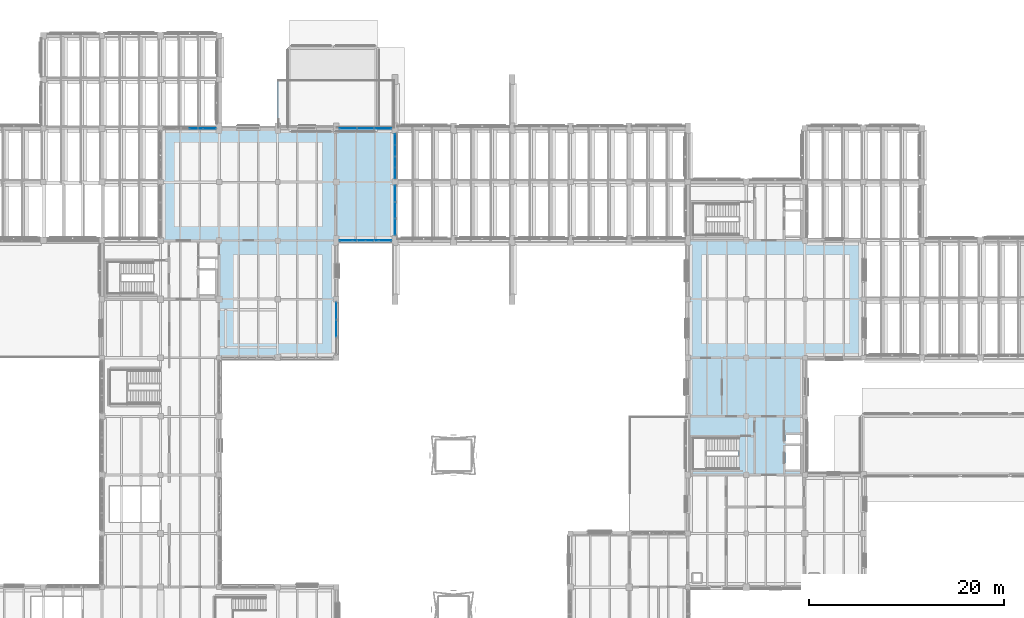
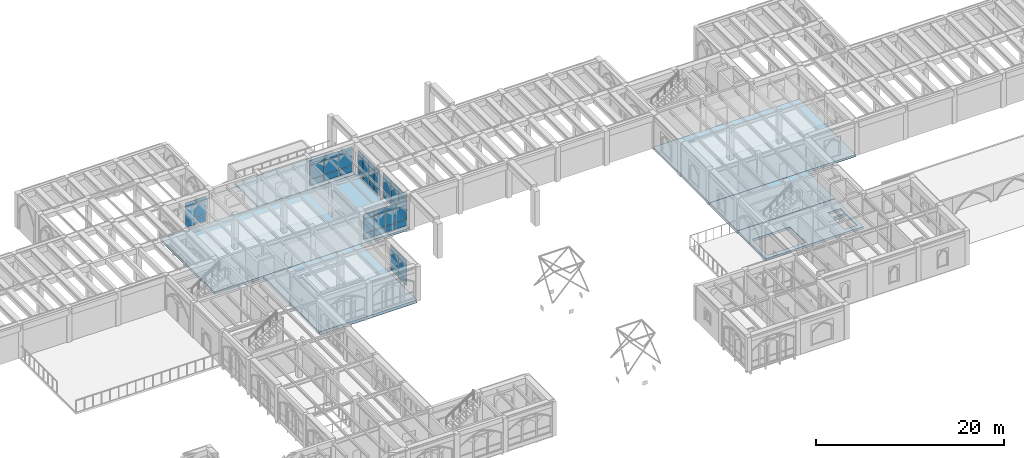
# One storey, part 72 of 127: 54 plates, 6 slabs, 6 elements without a shape of their own.
"""IFC4 building model written with IfcOpenShell, lengths in metres."""

from ifc_helpers import new_model, si_unit, direction, frame, origin, origin_2d, place, context, subcontext, project, spatial, polyline, rectangle, outline, extrude, material, layer, layer_set, type_object, element, aggregate, save


model = new_model("IFC4")

# Units and contexts
model_context = context("Model", 3, precision=1e-05, world=origin(), true_north=direction((0.0, 1.0)))
body_context = subcontext(model_context, "Body", "Model", "MODEL_VIEW")
ifc_project = project(units=[si_unit("LENGTHUNIT", "METRE"), si_unit("AREAUNIT", "SQUARE_METRE"), si_unit("VOLUMEUNIT", "CUBIC_METRE"), si_unit("PLANEANGLEUNIT", "RADIAN"), si_unit("MASSUNIT", "GRAM", prefix="KILO")], contexts=[model_context])

# Site, building, storey
site_placement = place(None, origin())
site = spatial("IfcSite", under=ifc_project, at=site_placement, CompositionType="ELEMENT")
building_placement = place(site_placement, origin())
building = spatial("IfcBuilding", under=site, at=building_placement, Name="Cumevento Cable Car Station", CompositionType="ELEMENT")
storey_placement = place(building_placement, frame((0.0, 0.0, 4.5)))
storey = spatial("IfcBuildingStorey", under=building, at=storey_placement, Name="L02", CompositionType="ELEMENT", Elevation=4.5)

# Slabs
ifc_material_1 = material(Name="Concrete C40/50", Category="concrete")
ifc_layer_1 = layer(ifc_material_1, 0.2900390625)
ifc_layer_set_1 = layer_set([ifc_layer_1], Name="Concrete C40/50")
slab_type_1 = type_object("IfcSlabType", Name="Concrete Deck BS-290 290", PredefinedType="BASESLAB", material=ifc_layer_set_1)
slab_1_placement = place(storey_placement, frame((0.0, 0.0, -0.2900390625)))
element("IfcSlab", 1, at=slab_1_placement, inside=storey, type_object=slab_type_1, Name="Base Slab BS-290 L02 B_V3a.1", PredefinedType="BASESLAB", context=body_context, shape_type="SweptSolid", body=[
    extrude(outline(polyline([(64.0, 45.0), (88.0, 45.0), (88.0, 56.5), (64.0, 56.5), (64.0, 45.0)])), origin(), (0.0, 0.0, 1.0), 0.2900390625),
])
slab_2_placement = place(storey_placement, frame((0.0, 0.0, -0.2900390625)))
element("IfcSlab", 2, at=slab_2_placement, inside=storey, type_object=slab_type_1, Name="Base Slab BS-290 L02 B_V5a.1", PredefinedType="BASESLAB", context=body_context, shape_type="SweptSolid", body=[
    extrude(outline(polyline([(118.0, 33.0), (136.0, 33.0), (136.0, 45.0), (118.0, 45.0), (118.0, 33.0)])), origin(), (0.0, 0.0, 1.0), 0.2900390625),
])
ifc_material_2 = material(Name="Concrete C40/50", Category="concrete")
ifc_layer_2 = layer(ifc_material_2, 0.389892578125)
ifc_layer_set_2 = layer_set([ifc_layer_2], Name="Concrete C40/50")
slab_type_2 = type_object("IfcSlabType", Name="Concrete Deck BS-390 390", PredefinedType="BASESLAB", material=ifc_layer_set_2)
slab_3_placement = place(storey_placement, frame((0.0, 0.0, -0.389892578125)))
element("IfcSlab", 3, at=slab_3_placement, inside=storey, type_object=slab_type_2, Name="Base Slab BS-390 L02 B_V2d.1", PredefinedType="BASESLAB", context=body_context, shape_type="SweptSolid", body=[
    extrude(outline(polyline([(70.0, 33.0), (82.0, 33.0), (82.0, 45.0), (70.0, 45.0), (70.0, 33.0)])), origin(), (0.0, 0.0, 1.0), 0.389892578125),
])
slab_4_placement = place(storey_placement, frame((0.0, 0.0, -0.389892578125)))
element("IfcSlab", 4, at=slab_4_placement, inside=storey, type_object=slab_type_2, Name="Base Slab BS-390 L02 B_V4b.1", PredefinedType="BASESLAB", context=body_context, shape_type="SweptSolid", body=[
    extrude(outline(polyline([(118.0, 27.0), (130.0, 27.0), (130.0, 33.0), (118.0, 33.0), (118.0, 27.0)])), origin(), (0.0, 0.0, 1.0), 0.389892578125),
])
ifc_material_3 = material(Name="Concrete C40/50", Category="concrete")
ifc_layer_3 = layer(ifc_material_3, 0.283935546875)
ifc_layer_set_3 = layer_set([ifc_layer_3], Name="Concrete C40/50")
slab_type_3 = type_object("IfcSlabType", Name="Concrete Deck FS-284 284", PredefinedType="FLOOR", material=ifc_layer_set_3)
slab_5_placement = place(storey_placement, frame((0.0, 0.0, -0.283935546875)))
element("IfcSlab", 5, at=slab_5_placement, inside=storey, type_object=slab_type_3, Name="Floor Slab FS-284 L02 B_V4b_core.1", PredefinedType="FLOOR", context=body_context, shape_type="SweptSolid", body=[
    extrude(outline(polyline([(118.0, 21.0), (130.0, 21.0), (130.0, 27.0), (118.0, 27.0), (118.0, 21.0)]), holes=[polyline([(128.010009765625, 21.5400390625), (129.580078125, 21.5400390625), (129.580078125, 23.9599609375), (128.010009765625, 23.9599609375), (128.010009765625, 21.5400390625)]), polyline([(118.52001953125, 21.52001953125), (123.199951171875, 21.52001953125), (123.199951171875, 24.85009765625), (118.52001953125, 24.85009765625), (118.52001953125, 21.52001953125)]), polyline([(128.010009765625, 24.199951171875), (129.580078125, 24.199951171875), (129.580078125, 25.10009765625), (128.010009765625, 25.10009765625), (128.010009765625, 24.199951171875)])]), origin(), (0.0, 0.0, 1.0), 0.283935546875),
])

# Curtain wall, plates
ifc_material_4 = material(Name="Anodised Bronze Aluminium AW-6063-T6", Category="aluminium")
ifc_layer_4 = layer(ifc_material_4, 0.238037109375)
ifc_layer_set_4 = layer_set([ifc_layer_4], Name="Anodised Bronze Aluminium AW-6063-T6")
curtain_wall_type_1 = type_object("IfcCurtainWallType", Name="Lancet Curtain Wall CW-14 1570", PredefinedType="NOTDEFINED", material=ifc_layer_set_4)
curtain_wall_1_placement = place(storey_placement, origin())
curtain_wall_1 = element("IfcCurtainWall", 6, at=curtain_wall_1_placement, inside=storey, type_object=curtain_wall_type_1, Name="Lancet Curtain Wall CW-14 L02 #45", PredefinedType="NOTDEFINED")
ifc_material_5 = material(Name="Solar Control Laminated Double Glazing", Category="glass")
ifc_layer_5 = layer(ifc_material_5, 0.033935546875)
ifc_layer_set_5 = layer_set([ifc_layer_5], Name="Solar Control Laminated Double Glazing")
plate_type_1 = type_object("IfcPlateType", Name="Glazed Panel CWP-04 34", PredefinedType="CURTAIN_PANEL", material=ifc_layer_set_5)
plate_1_placement = place(storey_placement, frame((82.0, 37.8046875, 0.47509765625), z_axis=(0.0, 0.0, 1.0), x_axis=(0.0, -1.0, 0.0)))
plate_1 = element("IfcPlate", 7, at=plate_1_placement, type_object=plate_type_1, Name="CW-14 panel 1.1", PredefinedType="CURTAIN_PANEL", context=body_context, shape_type="SweptSolid", body=[
    extrude(rectangle(XDim=1.7109375, YDim=0.033935546875, at=origin_2d()), origin(), (0.0, 0.0, 1.0), 0.75244140625),
])
plate_2_placement = place(storey_placement, frame((82.0, 37.8046875, 1.29248046875), z_axis=(0.0, 0.0, 1.0), x_axis=(0.0, -1.0, 0.0)))
plate_2 = element("IfcPlate", 8, at=plate_2_placement, type_object=plate_type_1, Name="CW-14 panel 1.2", PredefinedType="CURTAIN_PANEL", context=body_context, shape_type="SweptSolid", body=[
    extrude(rectangle(XDim=1.7109375, YDim=0.033935546875, at=origin_2d()), origin(), (0.0, 0.0, 1.0), 1.7958984375),
])
plate_3_placement = place(storey_placement, frame((82.0, 37.8046875, 3.153564453125), z_axis=(0.0, 0.0, 1.0), x_axis=(0.0, -1.0, 0.0)))
plate_3 = element("IfcPlate", 9, at=plate_3_placement, type_object=plate_type_1, Name="CW-14 panel 1.3", PredefinedType="CURTAIN_PANEL", context=body_context, shape_type="SweptSolid", body=[
    extrude(rectangle(XDim=1.7109375, YDim=0.033935546875, at=origin_2d()), origin(), (0.0, 0.0, 1.0), 0.6025390625),
])
plate_4_placement = place(storey_placement, frame((82.0, 36.012451171875, 0.47509765625), z_axis=(0.0, 0.0, 1.0), x_axis=(0.0, -1.0, 0.0)))
plate_4 = element("IfcPlate", 10, at=plate_4_placement, type_object=plate_type_1, Name="CW-14 panel 2.1", PredefinedType="CURTAIN_PANEL", context=body_context, shape_type="SweptSolid", body=[
    extrude(rectangle(XDim=1.743408203125, YDim=0.033935546875, at=origin_2d()), origin(), (0.0, 0.0, 1.0), 0.75244140625),
])
plate_5_placement = place(storey_placement, frame((82.0, 36.012451171875, 1.29248046875), z_axis=(0.0, 0.0, 1.0), x_axis=(0.0, -1.0, 0.0)))
plate_5 = element("IfcPlate", 11, at=plate_5_placement, type_object=plate_type_1, Name="CW-14 panel 2.2", PredefinedType="CURTAIN_PANEL", context=body_context, shape_type="SweptSolid", body=[
    extrude(rectangle(XDim=1.743408203125, YDim=0.033935546875, at=origin_2d()), origin(), (0.0, 0.0, 1.0), 1.7958984375),
])
plate_6_placement = place(storey_placement, frame((82.0, 36.012451171875, 3.153564453125), z_axis=(0.0, 0.0, 1.0), x_axis=(0.0, -1.0, 0.0)))
plate_6 = element("IfcPlate", 12, at=plate_6_placement, type_object=plate_type_1, Name="CW-14 panel 2.3", PredefinedType="CURTAIN_PANEL", context=body_context, shape_type="SweptSolid", body=[
    extrude(rectangle(XDim=1.743408203125, YDim=0.033935546875, at=origin_2d()), origin(), (0.0, 0.0, 1.0), 0.6025390625),
])
aggregate(curtain_wall_1, [plate_1, plate_2, plate_3, plate_4, plate_5, plate_6])

ifc_material_6 = material(Name="Anodised Bronze Aluminium AW-6063-T6", Category="aluminium")
ifc_layer_6 = layer(ifc_material_6, 0.22607421875)
ifc_layer_set_6 = layer_set([ifc_layer_6], Name="Anodised Bronze Aluminium AW-6063-T6")
curtain_wall_type_2 = type_object("IfcCurtainWallType", Name="Lancet Curtain Wall CW-12 1490", PredefinedType="NOTDEFINED", material=ifc_layer_set_6)
curtain_wall_2_placement = place(storey_placement, origin())
curtain_wall_2 = element("IfcCurtainWall", 13, at=curtain_wall_2_placement, inside=storey, type_object=curtain_wall_type_2, Name="Lancet Curtain Wall CW-12 L02 #59", PredefinedType="NOTDEFINED")
plate_7_placement = place(storey_placement, frame((67.65625, 56.5, 0.375), z_axis=(0.0, 0.0, 1.0), x_axis=(1.0, 0.0, 0.0)))
plate_7 = element("IfcPlate", 14, at=plate_7_placement, type_object=plate_type_1, Name="CW-12 panel 3.1", PredefinedType="CURTAIN_PANEL", context=body_context, shape_type="SweptSolid", body=[
    extrude(rectangle(XDim=1.297607421875, YDim=0.033935546875, at=origin_2d()), origin(), (0.0, 0.0, 1.0), 0.75244140625),
])
plate_8_placement = place(storey_placement, frame((67.65625, 56.5, 1.1923828125), z_axis=(0.0, 0.0, 1.0), x_axis=(1.0, 0.0, 0.0)))
plate_8 = element("IfcPlate", 15, at=plate_8_placement, type_object=plate_type_1, Name="CW-12 panel 3.2", PredefinedType="CURTAIN_PANEL", context=body_context, shape_type="SweptSolid", body=[
    extrude(rectangle(XDim=1.297607421875, YDim=0.033935546875, at=origin_2d()), origin(), (0.0, 0.0, 1.0), 1.721923828125),
])
plate_9_placement = place(storey_placement, frame((67.65625, 56.5, 2.9794921875), z_axis=(0.0, 0.0, 1.0), x_axis=(1.0, 0.0, 0.0)))
plate_9 = element("IfcPlate", 16, at=plate_9_placement, type_object=plate_type_1, Name="CW-12 panel 3.3", PredefinedType="CURTAIN_PANEL", context=body_context, shape_type="SweptSolid", body=[
    extrude(rectangle(XDim=1.297607421875, YDim=0.033935546875, at=origin_2d()), origin(), (0.0, 0.0, 1.0), 0.6025390625),
])
plate_10_placement = place(storey_placement, frame((69.00244140625, 56.5, 0.375), z_axis=(0.0, 0.0, 1.0), x_axis=(1.0, 0.0, 0.0)))
plate_10 = element("IfcPlate", 17, at=plate_10_placement, type_object=plate_type_1, Name="CW-12 panel 4.1", PredefinedType="CURTAIN_PANEL", context=body_context, shape_type="SweptSolid", body=[
    extrude(rectangle(XDim=1.264892578125, YDim=0.033935546875, at=origin_2d()), origin(), (0.0, 0.0, 1.0), 0.75244140625),
])
plate_11_placement = place(storey_placement, frame((69.00244140625, 56.5, 1.1923828125), z_axis=(0.0, 0.0, 1.0), x_axis=(1.0, 0.0, 0.0)))
plate_11 = element("IfcPlate", 18, at=plate_11_placement, type_object=plate_type_1, Name="CW-12 panel 4.2", PredefinedType="CURTAIN_PANEL", context=body_context, shape_type="SweptSolid", body=[
    extrude(rectangle(XDim=1.264892578125, YDim=0.033935546875, at=origin_2d()), origin(), (0.0, 0.0, 1.0), 1.721923828125),
])
plate_12_placement = place(storey_placement, frame((69.00244140625, 56.5, 2.9794921875), z_axis=(0.0, 0.0, 1.0), x_axis=(1.0, 0.0, 0.0)))
plate_12 = element("IfcPlate", 19, at=plate_12_placement, type_object=plate_type_1, Name="CW-12 panel 4.3", PredefinedType="CURTAIN_PANEL", context=body_context, shape_type="SweptSolid", body=[
    extrude(rectangle(XDim=1.264892578125, YDim=0.033935546875, at=origin_2d()), origin(), (0.0, 0.0, 1.0), 0.6025390625),
])
aggregate(curtain_wall_2, [plate_7, plate_8, plate_9, plate_10, plate_11, plate_12])

ifc_material_7 = material(Name="Anodised Bronze Aluminium AW-6063-T6", Category="aluminium")
ifc_layer_7 = layer(ifc_material_7, 0.23193359375)
ifc_layer_set_7 = layer_set([ifc_layer_7], Name="Anodised Bronze Aluminium AW-6063-T6")
curtain_wall_type_3 = type_object("IfcCurtainWallType", Name="Lancet Curtain Wall CW-13 1530", PredefinedType="NOTDEFINED", material=ifc_layer_set_7)
curtain_wall_3_placement = place(storey_placement, origin())
curtain_wall_3 = element("IfcCurtainWall", 20, at=curtain_wall_3_placement, inside=storey, type_object=curtain_wall_type_3, Name="Lancet Curtain Wall CW-13 L02 #60", PredefinedType="NOTDEFINED")
ifc_material_8 = material(Name="Solar Control Laminated Double Glazing", Category="glass")
ifc_layer_8 = layer(ifc_material_8, 0.0380859375)
ifc_layer_set_8 = layer_set([ifc_layer_8], Name="Solar Control Laminated Double Glazing")
plate_type_2 = type_object("IfcPlateType", Name="Glazed Panel CWP-05 38", PredefinedType="CURTAIN_PANEL", material=ifc_layer_set_8)
plate_13_placement = place(storey_placement, frame((87.0087890625, 45.0, 0.425048828125), z_axis=(0.0, 0.0, 1.0), x_axis=(-1.0, 0.0, 0.0)))
plate_13 = element("IfcPlate", 21, at=plate_13_placement, type_object=plate_type_2, Name="CW-13 panel 1.1", PredefinedType="CURTAIN_PANEL", context=body_context, shape_type="SweptSolid", body=[
    extrude(rectangle(XDim=1.25244140625, YDim=0.0380859375, at=origin_2d()), origin(), (0.0, 0.0, 1.0), 0.75244140625),
])
plate_14_placement = place(storey_placement, frame((87.0087890625, 45.0, 1.242431640625), z_axis=(0.0, 0.0, 1.0), x_axis=(-1.0, 0.0, 0.0)))
plate_14 = element("IfcPlate", 22, at=plate_14_placement, type_object=plate_type_2, Name="CW-13 panel 1.2", PredefinedType="CURTAIN_PANEL", context=body_context, shape_type="SweptSolid", body=[
    extrude(rectangle(XDim=1.25244140625, YDim=0.0380859375, at=origin_2d()), origin(), (0.0, 0.0, 1.0), 1.80810546875),
])
plate_15_placement = place(storey_placement, frame((87.0087890625, 45.0, 3.115478515625), z_axis=(0.0, 0.0, 1.0), x_axis=(-1.0, 0.0, 0.0)))
plate_15 = element("IfcPlate", 23, at=plate_15_placement, type_object=plate_type_2, Name="CW-13 panel 1.3", PredefinedType="CURTAIN_PANEL", context=body_context, shape_type="SweptSolid", body=[
    extrude(rectangle(XDim=1.25244140625, YDim=0.0380859375, at=origin_2d()), origin(), (0.0, 0.0, 1.0), 0.6025390625),
])
plate_16_placement = place(storey_placement, frame((85.675048828125, 45.0, 0.425048828125), z_axis=(0.0, 0.0, 1.0), x_axis=(-1.0, 0.0, 0.0)))
plate_16 = element("IfcPlate", 24, at=plate_16_placement, type_object=plate_type_2, Name="CW-13 panel 2.1", PredefinedType="CURTAIN_PANEL", context=body_context, shape_type="SweptSolid", body=[
    extrude(rectangle(XDim=1.284912109375, YDim=0.0380859375, at=origin_2d()), origin(), (0.0, 0.0, 1.0), 0.75244140625),
])
plate_17_placement = place(storey_placement, frame((85.675048828125, 45.0, 1.242431640625), z_axis=(0.0, 0.0, 1.0), x_axis=(-1.0, 0.0, 0.0)))
plate_17 = element("IfcPlate", 25, at=plate_17_placement, type_object=plate_type_2, Name="CW-13 panel 2.2", PredefinedType="CURTAIN_PANEL", context=body_context, shape_type="SweptSolid", body=[
    extrude(rectangle(XDim=1.284912109375, YDim=0.0380859375, at=origin_2d()), origin(), (0.0, 0.0, 1.0), 1.80810546875),
])
plate_18_placement = place(storey_placement, frame((85.675048828125, 45.0, 3.115478515625), z_axis=(0.0, 0.0, 1.0), x_axis=(-1.0, 0.0, 0.0)))
plate_18 = element("IfcPlate", 26, at=plate_18_placement, type_object=plate_type_2, Name="CW-13 panel 2.3", PredefinedType="CURTAIN_PANEL", context=body_context, shape_type="SweptSolid", body=[
    extrude(rectangle(XDim=1.284912109375, YDim=0.0380859375, at=origin_2d()), origin(), (0.0, 0.0, 1.0), 0.6025390625),
])
plate_19_placement = place(storey_placement, frame((84.324951171875, 45.0, 0.425048828125), z_axis=(0.0, 0.0, 1.0), x_axis=(-1.0, 0.0, 0.0)))
plate_19 = element("IfcPlate", 27, at=plate_19_placement, type_object=plate_type_2, Name="CW-13 panel 3.1", PredefinedType="CURTAIN_PANEL", context=body_context, shape_type="SweptSolid", body=[
    extrude(rectangle(XDim=1.284912109375, YDim=0.0380859375, at=origin_2d()), origin(), (0.0, 0.0, 1.0), 0.75244140625),
])
plate_20_placement = place(storey_placement, frame((84.324951171875, 45.0, 1.242431640625), z_axis=(0.0, 0.0, 1.0), x_axis=(-1.0, 0.0, 0.0)))
plate_20 = element("IfcPlate", 28, at=plate_20_placement, type_object=plate_type_2, Name="CW-13 panel 3.2", PredefinedType="CURTAIN_PANEL", context=body_context, shape_type="SweptSolid", body=[
    extrude(rectangle(XDim=1.284912109375, YDim=0.0380859375, at=origin_2d()), origin(), (0.0, 0.0, 1.0), 1.80810546875),
])
plate_21_placement = place(storey_placement, frame((84.324951171875, 45.0, 3.115478515625), z_axis=(0.0, 0.0, 1.0), x_axis=(-1.0, 0.0, 0.0)))
plate_21 = element("IfcPlate", 29, at=plate_21_placement, type_object=plate_type_2, Name="CW-13 panel 3.3", PredefinedType="CURTAIN_PANEL", context=body_context, shape_type="SweptSolid", body=[
    extrude(rectangle(XDim=1.284912109375, YDim=0.0380859375, at=origin_2d()), origin(), (0.0, 0.0, 1.0), 0.6025390625),
])
plate_22_placement = place(storey_placement, frame((82.9912109375, 45.0, 0.425048828125), z_axis=(0.0, 0.0, 1.0), x_axis=(-1.0, 0.0, 0.0)))
plate_22 = element("IfcPlate", 30, at=plate_22_placement, type_object=plate_type_2, Name="CW-13 panel 4.1", PredefinedType="CURTAIN_PANEL", context=body_context, shape_type="SweptSolid", body=[
    extrude(rectangle(XDim=1.25244140625, YDim=0.0380859375, at=origin_2d()), origin(), (0.0, 0.0, 1.0), 0.75244140625),
])
plate_23_placement = place(storey_placement, frame((82.9912109375, 45.0, 1.242431640625), z_axis=(0.0, 0.0, 1.0), x_axis=(-1.0, 0.0, 0.0)))
plate_23 = element("IfcPlate", 31, at=plate_23_placement, type_object=plate_type_2, Name="CW-13 panel 4.2", PredefinedType="CURTAIN_PANEL", context=body_context, shape_type="SweptSolid", body=[
    extrude(rectangle(XDim=1.25244140625, YDim=0.0380859375, at=origin_2d()), origin(), (0.0, 0.0, 1.0), 1.80810546875),
])
plate_24_placement = place(storey_placement, frame((82.9912109375, 45.0, 3.115478515625), z_axis=(0.0, 0.0, 1.0), x_axis=(-1.0, 0.0, 0.0)))
plate_24 = element("IfcPlate", 32, at=plate_24_placement, type_object=plate_type_2, Name="CW-13 panel 4.3", PredefinedType="CURTAIN_PANEL", context=body_context, shape_type="SweptSolid", body=[
    extrude(rectangle(XDim=1.25244140625, YDim=0.0380859375, at=origin_2d()), origin(), (0.0, 0.0, 1.0), 0.6025390625),
])
aggregate(curtain_wall_3, [plate_13, plate_14, plate_15, plate_16, plate_17, plate_18, plate_19, plate_20, plate_21, plate_22, plate_23, plate_24])

curtain_wall_4_placement = place(storey_placement, origin())
curtain_wall_4 = element("IfcCurtainWall", 33, at=curtain_wall_4_placement, inside=storey, type_object=curtain_wall_type_1, Name="Lancet Curtain Wall CW-14 L02 #61", PredefinedType="NOTDEFINED")
ifc_material_9 = material(Name="Solar Control Laminated Double Glazing", Category="glass")
ifc_layer_9 = layer(ifc_material_9, 0.0419921875)
ifc_layer_set_9 = layer_set([ifc_layer_9], Name="Solar Control Laminated Double Glazing")
plate_type_3 = type_object("IfcPlateType", Name="Glazed Panel CWP-06 42", PredefinedType="CURTAIN_PANEL", material=ifc_layer_set_9)
plate_25_placement = place(storey_placement, frame((83.21630859375, 56.5, 0.47509765625), z_axis=(0.0, 0.0, 1.0), x_axis=(1.0, 0.0, 0.0)))
plate_25 = element("IfcPlate", 34, at=plate_25_placement, type_object=plate_type_3, Name="CW-14 panel 1.1", PredefinedType="CURTAIN_PANEL", context=body_context, shape_type="SweptSolid", body=[
    extrude(rectangle(XDim=1.702392578125, YDim=0.0419921875, at=origin_2d()), origin(), (0.0, 0.0, 1.0), 0.75244140625),
])
plate_26_placement = place(storey_placement, frame((83.21630859375, 56.5, 1.29248046875), z_axis=(0.0, 0.0, 1.0), x_axis=(1.0, 0.0, 0.0)))
plate_26 = element("IfcPlate", 35, at=plate_26_placement, type_object=plate_type_3, Name="CW-14 panel 1.2", PredefinedType="CURTAIN_PANEL", context=body_context, shape_type="SweptSolid", body=[
    extrude(rectangle(XDim=1.702392578125, YDim=0.0419921875, at=origin_2d()), origin(), (0.0, 0.0, 1.0), 1.758056640625),
])
plate_27_placement = place(storey_placement, frame((83.21630859375, 56.5, 3.115478515625), z_axis=(0.0, 0.0, 1.0), x_axis=(1.0, 0.0, 0.0)))
plate_27 = element("IfcPlate", 36, at=plate_27_placement, type_object=plate_type_3, Name="CW-14 panel 1.3", PredefinedType="CURTAIN_PANEL", context=body_context, shape_type="SweptSolid", body=[
    extrude(rectangle(XDim=1.702392578125, YDim=0.0419921875, at=origin_2d()), origin(), (0.0, 0.0, 1.0), 0.6025390625),
])
plate_28_placement = place(storey_placement, frame((85.0, 56.5, 0.47509765625), z_axis=(0.0, 0.0, 1.0), x_axis=(1.0, 0.0, 0.0)))
plate_28 = element("IfcPlate", 37, at=plate_28_placement, type_object=plate_type_3, Name="CW-14 panel 2.1", PredefinedType="CURTAIN_PANEL", context=body_context, shape_type="SweptSolid", body=[
    extrude(rectangle(XDim=1.735107421875, YDim=0.0419921875, at=origin_2d()), origin(), (0.0, 0.0, 1.0), 0.75244140625),
])
plate_29_placement = place(storey_placement, frame((85.0, 56.5, 1.29248046875), z_axis=(0.0, 0.0, 1.0), x_axis=(1.0, 0.0, 0.0)))
plate_29 = element("IfcPlate", 38, at=plate_29_placement, type_object=plate_type_3, Name="CW-14 panel 2.2", PredefinedType="CURTAIN_PANEL", context=body_context, shape_type="SweptSolid", body=[
    extrude(rectangle(XDim=1.735107421875, YDim=0.0419921875, at=origin_2d()), origin(), (0.0, 0.0, 1.0), 1.758056640625),
])
plate_30_placement = place(storey_placement, frame((85.0, 56.5, 3.115478515625), z_axis=(0.0, 0.0, 1.0), x_axis=(1.0, 0.0, 0.0)))
plate_30 = element("IfcPlate", 39, at=plate_30_placement, type_object=plate_type_3, Name="CW-14 panel 2.3", PredefinedType="CURTAIN_PANEL", context=body_context, shape_type="SweptSolid", body=[
    extrude(rectangle(XDim=1.735107421875, YDim=0.0419921875, at=origin_2d()), origin(), (0.0, 0.0, 1.0), 0.6025390625),
])
plate_31_placement = place(storey_placement, frame((86.78369140625, 56.5, 0.47509765625), z_axis=(0.0, 0.0, 1.0), x_axis=(1.0, 0.0, 0.0)))
plate_31 = element("IfcPlate", 40, at=plate_31_placement, type_object=plate_type_3, Name="CW-14 panel 3.1", PredefinedType="CURTAIN_PANEL", context=body_context, shape_type="SweptSolid", body=[
    extrude(rectangle(XDim=1.702392578125, YDim=0.0419921875, at=origin_2d()), origin(), (0.0, 0.0, 1.0), 0.75244140625),
])
plate_32_placement = place(storey_placement, frame((86.78369140625, 56.5, 1.29248046875), z_axis=(0.0, 0.0, 1.0), x_axis=(1.0, 0.0, 0.0)))
plate_32 = element("IfcPlate", 41, at=plate_32_placement, type_object=plate_type_3, Name="CW-14 panel 3.2", PredefinedType="CURTAIN_PANEL", context=body_context, shape_type="SweptSolid", body=[
    extrude(rectangle(XDim=1.702392578125, YDim=0.0419921875, at=origin_2d()), origin(), (0.0, 0.0, 1.0), 1.758056640625),
])
plate_33_placement = place(storey_placement, frame((86.78369140625, 56.5, 3.115478515625), z_axis=(0.0, 0.0, 1.0), x_axis=(1.0, 0.0, 0.0)))
plate_33 = element("IfcPlate", 42, at=plate_33_placement, type_object=plate_type_3, Name="CW-14 panel 3.3", PredefinedType="CURTAIN_PANEL", context=body_context, shape_type="SweptSolid", body=[
    extrude(rectangle(XDim=1.702392578125, YDim=0.0419921875, at=origin_2d()), origin(), (0.0, 0.0, 1.0), 0.6025390625),
])
aggregate(curtain_wall_4, [plate_25, plate_26, plate_27, plate_28, plate_29, plate_30, plate_31, plate_32, plate_33])

ifc_material_10 = material(Name="Anodised Bronze Aluminium AW-6063-T6", Category="aluminium")
ifc_layer_10 = layer(ifc_material_10, 0.25)
ifc_layer_set_10 = layer_set([ifc_layer_10], Name="Anodised Bronze Aluminium AW-6063-T6")
curtain_wall_type_4 = type_object("IfcCurtainWallType", Name="Lancet Curtain Wall CW-16 1650", PredefinedType="NOTDEFINED", material=ifc_layer_set_10)
curtain_wall_5_placement = place(storey_placement, origin())
curtain_wall_5 = element("IfcCurtainWall", 43, at=curtain_wall_5_placement, inside=storey, type_object=curtain_wall_type_4, Name="Lancet Curtain Wall CW-16 L02 #63", PredefinedType="NOTDEFINED")
ifc_material_11 = material(Name="Solar Control Laminated Double Glazing", Category="glass")
ifc_layer_11 = layer(ifc_material_11, 0.050048828125)
ifc_layer_set_11 = layer_set([ifc_layer_11], Name="Solar Control Laminated Double Glazing")
plate_type_4 = type_object("IfcPlateType", Name="Glazed Panel CWP-08 50", PredefinedType="CURTAIN_PANEL", material=ifc_layer_set_11)
plate_34_placement = place(storey_placement, frame((88.0, 49.8212890625, 0.5849609375), z_axis=(0.0, 0.0, 1.0), x_axis=(0.0, -1.0, 0.0)))
plate_34 = element("IfcPlate", 44, at=plate_34_placement, type_object=plate_type_4, Name="CW-16 panel 1.1", PredefinedType="CURTAIN_PANEL", context=body_context, shape_type="SweptSolid", body=[
    extrude(rectangle(XDim=1.62744140625, YDim=0.050048828125, at=origin_2d()), origin(), (0.0, 0.0, 1.0), 0.75244140625),
])
plate_35_placement = place(storey_placement, frame((88.0, 49.8212890625, 1.40234375), z_axis=(0.0, 0.0, 1.0), x_axis=(0.0, -1.0, 0.0)))
plate_35 = element("IfcPlate", 45, at=plate_35_placement, type_object=plate_type_4, Name="CW-16 panel 1.2", PredefinedType="CURTAIN_PANEL", context=body_context, shape_type="SweptSolid", body=[
    extrude(rectangle(XDim=1.62744140625, YDim=0.050048828125, at=origin_2d()), origin(), (0.0, 0.0, 1.0), 1.700927734375),
])
plate_36_placement = place(storey_placement, frame((88.0, 49.8212890625, 3.16845703125), z_axis=(0.0, 0.0, 1.0), x_axis=(0.0, -1.0, 0.0)))
plate_36 = element("IfcPlate", 46, at=plate_36_placement, type_object=plate_type_4, Name="CW-16 panel 1.3", PredefinedType="CURTAIN_PANEL", context=body_context, shape_type="SweptSolid", body=[
    extrude(rectangle(XDim=1.62744140625, YDim=0.050048828125, at=origin_2d()), origin(), (0.0, 0.0, 1.0), 0.6025390625),
])
plate_37_placement = place(storey_placement, frame((88.0, 48.112548828125, 0.5849609375), z_axis=(0.0, 0.0, 1.0), x_axis=(0.0, -1.0, 0.0)))
plate_37 = element("IfcPlate", 47, at=plate_37_placement, type_object=plate_type_4, Name="CW-16 panel 2.1", PredefinedType="CURTAIN_PANEL", context=body_context, shape_type="SweptSolid", body=[
    extrude(rectangle(XDim=1.659912109375, YDim=0.050048828125, at=origin_2d()), origin(), (0.0, 0.0, 1.0), 0.75244140625),
])
plate_38_placement = place(storey_placement, frame((88.0, 48.112548828125, 1.40234375), z_axis=(0.0, 0.0, 1.0), x_axis=(0.0, -1.0, 0.0)))
plate_38 = element("IfcPlate", 48, at=plate_38_placement, type_object=plate_type_4, Name="CW-16 panel 2.2", PredefinedType="CURTAIN_PANEL", context=body_context, shape_type="SweptSolid", body=[
    extrude(rectangle(XDim=1.659912109375, YDim=0.050048828125, at=origin_2d()), origin(), (0.0, 0.0, 1.0), 1.700927734375),
])
plate_39_placement = place(storey_placement, frame((88.0, 48.112548828125, 3.16845703125), z_axis=(0.0, 0.0, 1.0), x_axis=(0.0, -1.0, 0.0)))
plate_39 = element("IfcPlate", 49, at=plate_39_placement, type_object=plate_type_4, Name="CW-16 panel 2.3", PredefinedType="CURTAIN_PANEL", context=body_context, shape_type="SweptSolid", body=[
    extrude(rectangle(XDim=1.659912109375, YDim=0.050048828125, at=origin_2d()), origin(), (0.0, 0.0, 1.0), 0.6025390625),
])
plate_40_placement = place(storey_placement, frame((88.0, 46.40380859375, 0.5849609375), z_axis=(0.0, 0.0, 1.0), x_axis=(0.0, -1.0, 0.0)))
plate_40 = element("IfcPlate", 50, at=plate_40_placement, type_object=plate_type_4, Name="CW-16 panel 3.1", PredefinedType="CURTAIN_PANEL", context=body_context, shape_type="SweptSolid", body=[
    extrude(rectangle(XDim=1.62744140625, YDim=0.050048828125, at=origin_2d()), origin(), (0.0, 0.0, 1.0), 0.75244140625),
])
plate_41_placement = place(storey_placement, frame((88.0, 46.40380859375, 1.40234375), z_axis=(0.0, 0.0, 1.0), x_axis=(0.0, -1.0, 0.0)))
plate_41 = element("IfcPlate", 51, at=plate_41_placement, type_object=plate_type_4, Name="CW-16 panel 3.2", PredefinedType="CURTAIN_PANEL", context=body_context, shape_type="SweptSolid", body=[
    extrude(rectangle(XDim=1.62744140625, YDim=0.050048828125, at=origin_2d()), origin(), (0.0, 0.0, 1.0), 1.700927734375),
])
plate_42_placement = place(storey_placement, frame((88.0, 46.40380859375, 3.16845703125), z_axis=(0.0, 0.0, 1.0), x_axis=(0.0, -1.0, 0.0)))
plate_42 = element("IfcPlate", 52, at=plate_42_placement, type_object=plate_type_4, Name="CW-16 panel 3.3", PredefinedType="CURTAIN_PANEL", context=body_context, shape_type="SweptSolid", body=[
    extrude(rectangle(XDim=1.62744140625, YDim=0.050048828125, at=origin_2d()), origin(), (0.0, 0.0, 1.0), 0.6025390625),
])
aggregate(curtain_wall_5, [plate_34, plate_35, plate_36, plate_37, plate_38, plate_39, plate_40, plate_41, plate_42])

ifc_material_12 = material(Name="Anodised Bronze Aluminium AW-6063-T6", Category="aluminium")
ifc_layer_12 = layer(ifc_material_12, 0.166015625)
ifc_layer_set_12 = layer_set([ifc_layer_12], Name="Anodised Bronze Aluminium AW-6063-T6")
curtain_wall_type_5 = type_object("IfcCurtainWallType", Name="Lancet Curtain Wall CW-02 1090", PredefinedType="NOTDEFINED", material=ifc_layer_set_12)
curtain_wall_6_placement = place(storey_placement, origin())
curtain_wall_6 = element("IfcCurtainWall", 53, at=curtain_wall_6_placement, inside=storey, type_object=curtain_wall_type_5, Name="Lancet Curtain Wall CW-02 L02 #65", PredefinedType="NOTDEFINED")
ifc_material_13 = material(Name="Insulated Bronze Aluminium Spandrel Panel", Category="aluminium")
ifc_layer_13 = layer(ifc_material_13, 0.06005859375)
ifc_layer_set_13 = layer_set([ifc_layer_13], Name="Insulated Bronze Aluminium Spandrel Panel")
plate_type_5 = type_object("IfcPlateType", Name="Spandrel Panel CWP-10 60", PredefinedType="CURTAIN_PANEL", material=ifc_layer_set_13)
plate_43_placement = place(storey_placement, frame((88.0, 55.374267578125, 0.275146484375), z_axis=(0.0, 0.0, 1.0), x_axis=(0.0, -1.0, 0.0)))
plate_43 = element("IfcPlate", 54, at=plate_43_placement, type_object=plate_type_5, Name="CW-02 panel 1.1", PredefinedType="CURTAIN_PANEL", context=body_context, shape_type="SweptSolid", body=[
    extrude(rectangle(XDim=1.0712890625, YDim=0.06005859375, at=origin_2d()), origin(), (0.0, 0.0, 1.0), 0.75244140625),
])
plate_44_placement = place(storey_placement, frame((88.0, 55.374267578125, 1.09228515625), z_axis=(0.0, 0.0, 1.0), x_axis=(0.0, -1.0, 0.0)))
plate_44 = element("IfcPlate", 55, at=plate_44_placement, type_object=plate_type_5, Name="CW-02 panel 1.2", PredefinedType="CURTAIN_PANEL", context=body_context, shape_type="SweptSolid", body=[
    extrude(rectangle(XDim=1.0712890625, YDim=0.06005859375, at=origin_2d()), origin(), (0.0, 0.0, 1.0), 1.757080078125),
])
plate_45_placement = place(storey_placement, frame((88.0, 55.374267578125, 2.91455078125), z_axis=(0.0, 0.0, 1.0), x_axis=(0.0, -1.0, 0.0)))
plate_45 = element("IfcPlate", 56, at=plate_45_placement, type_object=plate_type_5, Name="CW-02 panel 1.3", PredefinedType="CURTAIN_PANEL", context=body_context, shape_type="SweptSolid", body=[
    extrude(rectangle(XDim=1.0712890625, YDim=0.06005859375, at=origin_2d()), origin(), (0.0, 0.0, 1.0), 0.6025390625),
])
plate_46_placement = place(storey_placement, frame((88.0, 54.221923828125, 0.275146484375), z_axis=(0.0, 0.0, 1.0), x_axis=(0.0, -1.0, 0.0)))
plate_46 = element("IfcPlate", 57, at=plate_46_placement, type_object=plate_type_5, Name="CW-02 panel 2.1", PredefinedType="CURTAIN_PANEL", context=body_context, shape_type="SweptSolid", body=[
    extrude(rectangle(XDim=1.103759765625, YDim=0.06005859375, at=origin_2d()), origin(), (0.0, 0.0, 1.0), 0.75244140625),
])
plate_47_placement = place(storey_placement, frame((88.0, 54.221923828125, 1.09228515625), z_axis=(0.0, 0.0, 1.0), x_axis=(0.0, -1.0, 0.0)))
plate_47 = element("IfcPlate", 58, at=plate_47_placement, type_object=plate_type_5, Name="CW-02 panel 2.2", PredefinedType="CURTAIN_PANEL", context=body_context, shape_type="SweptSolid", body=[
    extrude(rectangle(XDim=1.103759765625, YDim=0.06005859375, at=origin_2d()), origin(), (0.0, 0.0, 1.0), 1.757080078125),
])
plate_48_placement = place(storey_placement, frame((88.0, 54.221923828125, 2.91455078125), z_axis=(0.0, 0.0, 1.0), x_axis=(0.0, -1.0, 0.0)))
plate_48 = element("IfcPlate", 59, at=plate_48_placement, type_object=plate_type_5, Name="CW-02 panel 2.3", PredefinedType="CURTAIN_PANEL", context=body_context, shape_type="SweptSolid", body=[
    extrude(rectangle(XDim=1.103759765625, YDim=0.06005859375, at=origin_2d()), origin(), (0.0, 0.0, 1.0), 0.6025390625),
])
plate_49_placement = place(storey_placement, frame((88.0, 53.05322265625, 0.275146484375), z_axis=(0.0, 0.0, 1.0), x_axis=(0.0, -1.0, 0.0)))
plate_49 = element("IfcPlate", 60, at=plate_49_placement, type_object=plate_type_5, Name="CW-02 panel 3.1", PredefinedType="CURTAIN_PANEL", context=body_context, shape_type="SweptSolid", body=[
    extrude(rectangle(XDim=1.103759765625, YDim=0.06005859375, at=origin_2d()), origin(), (0.0, 0.0, 1.0), 0.75244140625),
])
plate_50_placement = place(storey_placement, frame((88.0, 53.05322265625, 1.09228515625), z_axis=(0.0, 0.0, 1.0), x_axis=(0.0, -1.0, 0.0)))
plate_50 = element("IfcPlate", 61, at=plate_50_placement, type_object=plate_type_5, Name="CW-02 panel 3.2", PredefinedType="CURTAIN_PANEL", context=body_context, shape_type="SweptSolid", body=[
    extrude(rectangle(XDim=1.103759765625, YDim=0.06005859375, at=origin_2d()), origin(), (0.0, 0.0, 1.0), 1.757080078125),
])
plate_51_placement = place(storey_placement, frame((88.0, 53.05322265625, 2.91455078125), z_axis=(0.0, 0.0, 1.0), x_axis=(0.0, -1.0, 0.0)))
plate_51 = element("IfcPlate", 62, at=plate_51_placement, type_object=plate_type_5, Name="CW-02 panel 3.3", PredefinedType="CURTAIN_PANEL", context=body_context, shape_type="SweptSolid", body=[
    extrude(rectangle(XDim=1.103759765625, YDim=0.06005859375, at=origin_2d()), origin(), (0.0, 0.0, 1.0), 0.6025390625),
])
plate_52_placement = place(storey_placement, frame((88.0, 51.900634765625, 0.275146484375), z_axis=(0.0, 0.0, 1.0), x_axis=(0.0, -1.0, 0.0)))
plate_52 = element("IfcPlate", 63, at=plate_52_placement, type_object=plate_type_5, Name="CW-02 panel 4.1", PredefinedType="CURTAIN_PANEL", context=body_context, shape_type="SweptSolid", body=[
    extrude(rectangle(XDim=1.0712890625, YDim=0.06005859375, at=origin_2d()), origin(), (0.0, 0.0, 1.0), 0.75244140625),
])
plate_53_placement = place(storey_placement, frame((88.0, 51.900634765625, 1.09228515625), z_axis=(0.0, 0.0, 1.0), x_axis=(0.0, -1.0, 0.0)))
plate_53 = element("IfcPlate", 64, at=plate_53_placement, type_object=plate_type_5, Name="CW-02 panel 4.2", PredefinedType="CURTAIN_PANEL", context=body_context, shape_type="SweptSolid", body=[
    extrude(rectangle(XDim=1.0712890625, YDim=0.06005859375, at=origin_2d()), origin(), (0.0, 0.0, 1.0), 1.757080078125),
])
plate_54_placement = place(storey_placement, frame((88.0, 51.900634765625, 2.91455078125), z_axis=(0.0, 0.0, 1.0), x_axis=(0.0, -1.0, 0.0)))
plate_54 = element("IfcPlate", 65, at=plate_54_placement, type_object=plate_type_5, Name="CW-02 panel 4.3", PredefinedType="CURTAIN_PANEL", context=body_context, shape_type="SweptSolid", body=[
    extrude(rectangle(XDim=1.0712890625, YDim=0.06005859375, at=origin_2d()), origin(), (0.0, 0.0, 1.0), 0.6025390625),
])
aggregate(curtain_wall_6, [plate_43, plate_44, plate_45, plate_46, plate_47, plate_48, plate_49, plate_50, plate_51, plate_52, plate_53, plate_54])

# Slab
ifc_material_14 = material(Name="Concrete C40/50", Category="concrete")
ifc_layer_14 = layer(ifc_material_14, 0.25)
ifc_layer_set_14 = layer_set([ifc_layer_14], Name="Concrete C40/50")
slab_type_4 = type_object("IfcSlabType", Name="Terrace Slab SL-TER-07", PredefinedType="FLOOR", material=ifc_layer_set_14)
slab_6_placement = place(storey_placement, frame((0.0, 0.0, -0.25)))
element("IfcSlab", 66, at=slab_6_placement, inside=storey, type_object=slab_type_4, Name="NE Hillside Station Stepped Terrace", PredefinedType="FLOOR", context=body_context, shape_type="SweptSolid", body=[
    extrude(outline(polyline([(76.0, 56.5), (88.0, 56.5), (88.0, 61.5), (76.0, 61.5), (76.0, 56.5)])), origin(), (0.0, 0.0, 1.0), 0.25),
])

save(model, "model.ifc")
